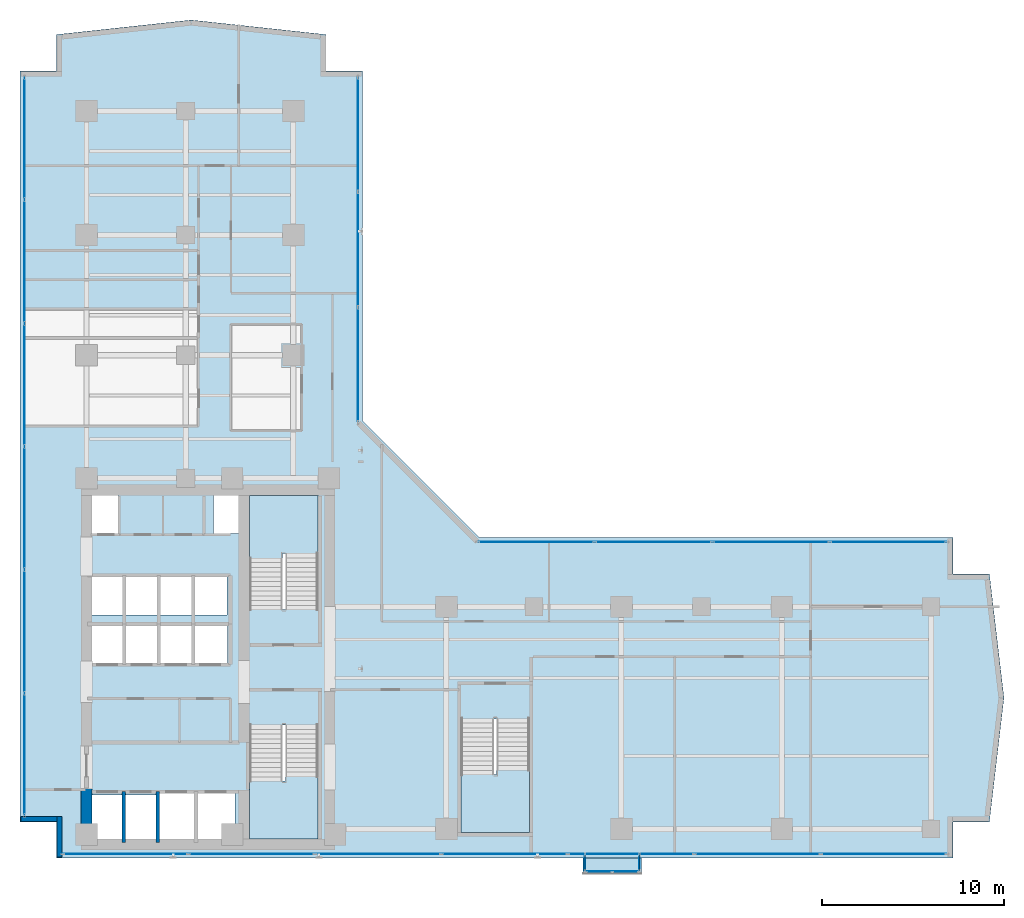
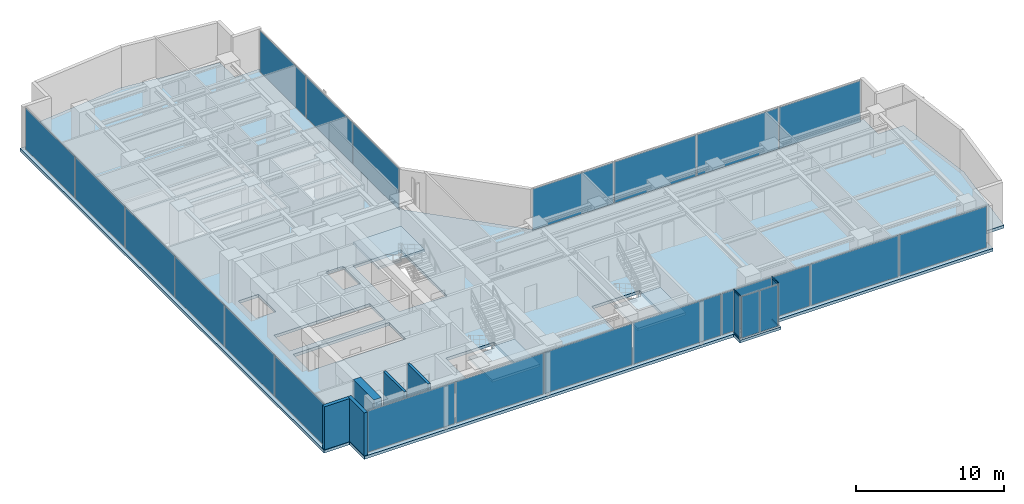
# One storey, part 19 of 27: 24 plates, 5 slabs, 5 walls, 4 members, 10 elements without a shape of their own.
"""IFC4 building model written with IfcOpenShell, lengths in metres."""

from ifc_helpers import new_model, si_unit, direction, frame, frame_2d, origin, origin_with_axes, origin_2d, place, context, subcontext, project, spatial, polyline, rectangle, hollow_rectangle, outline, extrude, source, transform, mapped, material, layer, layer_set, material_profile, profile_set, type_object, element, aggregate, save


model = new_model("IFC4")

# Units and contexts
model_context = context("Model", 3, precision=1e-05, world=origin(), true_north=direction((0.0, 1.0)))
body_context = subcontext(model_context, "Body", "Model", "MODEL_VIEW")
ifc_project = project(units=[si_unit("LENGTHUNIT", "METRE"), si_unit("AREAUNIT", "SQUARE_METRE"), si_unit("VOLUMEUNIT", "CUBIC_METRE"), si_unit("PLANEANGLEUNIT", "RADIAN"), si_unit("MASSUNIT", "GRAM", prefix="KILO")], contexts=[model_context])

# Site, building, storey
site_placement = place(None, origin())
site = spatial("IfcSite", under=ifc_project, at=site_placement, CompositionType="ELEMENT")
building_placement = place(site_placement, origin())
building = spatial("IfcBuilding", under=site, at=building_placement, Name="Kolvaren Waterfront Exchange", CompositionType="ELEMENT")
storey_placement = place(building_placement, frame((0.0, 0.0, 191.800048828125)))
storey = spatial("IfcBuildingStorey", under=building, at=storey_placement, Name="L49", CompositionType="ELEMENT", Elevation=191.800048828125)

# Curtain wall, members
ifc_material_1 = material(Name="Anodised bronze aluminium 6063-T6", Category="aluminium")
ifc_layer_1 = layer(ifc_material_1, 0.219970703125, Name="Anodised bronze aluminium 6063-T6")
ifc_layer_set_1 = layer_set([ifc_layer_1], Name="Anodised bronze aluminium 6063-T6")
curtain_wall_type_1 = type_object("IfcCurtainWallType", Name="ARC-CW-SYS3", PredefinedType="USERDEFINED", material=ifc_layer_set_1)
curtain_wall_1_placement = place(storey_placement, origin())
curtain_wall_1 = element("IfcCurtainWall", 1, at=curtain_wall_1_placement, inside=storey, type_object=curtain_wall_type_1, Name="L49 stick curtain wall CW3 (CW-L49-BOX-W)", ObjectType="STICK CURTAIN WALL", PredefinedType="USERDEFINED")
ifc_material_profile = material_profile(ifc_material_1, hollow_rectangle(XDim=0.06494140625, YDim=0.1298828125, WallThickness=0.00390625, at=origin_2d()), Name="ALU-TRN-130x65x4")
ifc_profile_set = profile_set([ifc_material_profile], Name="Anodised bronze aluminium 6063-T6")
member_type = type_object("IfcMemberType", Name="ARC-CWT-130", PredefinedType="USERDEFINED", material=ifc_profile_set)
shared_shape_1 = source(origin_with_axes(), body_context, "Body", "SweptSolid", [
    extrude(hollow_rectangle(XDim=0.06494140625, YDim=0.1298828125, WallThickness=0.00390625, at=origin_2d()), origin(), (0.0, 0.0, 1.0), 0.829833984375),
])
member_1_placement = place(storey_placement, frame((34.81005859375, 3.764892578125, 0.032470703125), z_axis=(0.0, -1.0, 0.0), x_axis=(1.0, 0.0, 0.0)))
member_1 = element("IfcMember", 2, at=member_1_placement, type_object=member_type, Name="CW3 transom 1.1", ObjectType="TRANSOM", PredefinedType="USERDEFINED", context=body_context, shape_type="MappedRepresentation", body=[
    mapped(shared_shape_1, transform((0.0, 0.0, 0.0), x_axis=(1.0, 0.0, 0.0), y_axis=(0.0, 1.0, 0.0), z_axis=(0.0, 0.0, 1.0), scale=1.0)),
])
member_2_placement = place(storey_placement, frame((34.81005859375, 3.764892578125, 3.52734375), z_axis=(0.0, -1.0, 0.0), x_axis=(1.0, 0.0, 0.0)))
member_2 = element("IfcMember", 3, at=member_2_placement, type_object=member_type, Name="CW3 transom 1.2", ObjectType="TRANSOM", PredefinedType="USERDEFINED", context=body_context, shape_type="MappedRepresentation", body=[
    mapped(shared_shape_1, transform((0.0, 0.0, 0.0), x_axis=(1.0, 0.0, 0.0), y_axis=(0.0, 1.0, 0.0), z_axis=(0.0, 0.0, 1.0), scale=1.0)),
])

curtain_wall_2_placement = place(storey_placement, origin())
curtain_wall_2 = element("IfcCurtainWall", 4, at=curtain_wall_2_placement, inside=storey, type_object=curtain_wall_type_1, Name="L49 stick curtain wall CW3 (CW-L49-BOX-E)", ObjectType="STICK CURTAIN WALL", PredefinedType="USERDEFINED")
member_3_placement = place(storey_placement, frame((37.7900390625, 2.93505859375, 0.032470703125), z_axis=(0.0, 1.0, 0.0), x_axis=(-1.0, 0.0, 0.0)))
member_3 = element("IfcMember", 5, at=member_3_placement, type_object=member_type, Name="CW3 transom 1.1", ObjectType="TRANSOM", PredefinedType="USERDEFINED", context=body_context, shape_type="MappedRepresentation", body=[
    mapped(shared_shape_1, transform((0.0, 0.0, 0.0), x_axis=(1.0, 0.0, 0.0), y_axis=(0.0, 1.0, 0.0), z_axis=(0.0, 0.0, 1.0), scale=1.0)),
])
member_4_placement = place(storey_placement, frame((37.7900390625, 2.93505859375, 3.52734375), z_axis=(0.0, 1.0, 0.0), x_axis=(-1.0, 0.0, 0.0)))
member_4 = element("IfcMember", 6, at=member_4_placement, type_object=member_type, Name="CW3 transom 1.2", ObjectType="TRANSOM", PredefinedType="USERDEFINED", context=body_context, shape_type="MappedRepresentation", body=[
    mapped(shared_shape_1, transform((0.0, 0.0, 0.0), x_axis=(1.0, 0.0, 0.0), y_axis=(0.0, 1.0, 0.0), z_axis=(0.0, 0.0, 1.0), scale=1.0)),
])

# Stair, slab
ifc_material_2 = material(Name="Concrete C40/50", Category="concrete")
stair_type = type_object("IfcStairType", Name="ARC-STAIR-3800", PredefinedType="HALF_TURN_STAIR", material=ifc_material_2)
stair_1_placement = place(storey_placement, origin())
stair_1 = element("IfcStair", 7, at=stair_1_placement, inside=storey, type_object=stair_type, Name="L49 Smoke-proof exit stair ST1", PredefinedType="HALF_TURN_STAIR")
ifc_layer_2 = layer(ifc_material_2, 0.199951171875, Name="Concrete C40/50")
ifc_layer_set_2 = layer_set([ifc_layer_2], Name="Concrete C40/50")
slab_type_1 = type_object("IfcSlabType", Name="STR-LANDING-200", PredefinedType="LANDING", material=ifc_layer_set_2)
slab_1_placement = place(storey_placement, frame((0.0, 0.0, 1.77587890625)))
slab_1 = element("IfcSlab", 8, at=slab_1_placement, type_object=slab_type_1, Name="ST1 landing 1", PredefinedType="LANDING", context=body_context, shape_type="SweptSolid", body=[
    extrude(outline(polyline([(16.39990234375, 7.840087890625), (16.39990234375, 4.64990234375), (20.159912109375, 4.64990234375), (20.159912109375, 8.10009765625), (18.360107421875, 8.10009765625), (18.360107421875, 7.840087890625), (16.39990234375, 7.840087890625)])), origin(), (0.0, 0.0, 1.0), 0.199951171875),
])
aggregate(stair_1, [slab_1])

stair_2_placement = place(storey_placement, origin())
stair_2 = element("IfcStair", 9, at=stair_2_placement, inside=storey, type_object=stair_type, Name="L49 Smoke-proof exit stair ST2", PredefinedType="HALF_TURN_STAIR")
slab_2_placement = place(storey_placement, frame((0.0, 0.0, 1.77587890625)))
slab_2 = element("IfcSlab", 10, at=slab_2_placement, type_object=slab_type_1, Name="ST2 landing 1", PredefinedType="LANDING", context=body_context, shape_type="SweptSolid", body=[
    extrude(outline(polyline([(20.159912109375, 20.31005859375), (20.159912109375, 23.5), (16.39990234375, 23.5), (16.39990234375, 20.050048828125), (18.199951171875, 20.050048828125), (18.199951171875, 20.31005859375), (20.159912109375, 20.31005859375)])), origin(), (0.0, 0.0, 1.0), 0.199951171875),
])
aggregate(stair_2, [slab_2])

stair_3_placement = place(storey_placement, origin())
stair_3 = element("IfcStair", 11, at=stair_3_placement, inside=storey, type_object=stair_type, Name="L49 Exit stair ST3", PredefinedType="HALF_TURN_STAIR")
slab_3_placement = place(storey_placement, frame((0.0, 0.0, 1.77587890625)))
slab_3 = element("IfcSlab", 12, at=slab_3_placement, type_object=slab_type_1, Name="ST3 landing 1", PredefinedType="LANDING", context=body_context, shape_type="SweptSolid", body=[
    extrude(outline(polyline([(28.0, 8.18994140625), (28.0, 5.0), (31.760009765625, 5.0), (31.760009765625, 8.449951171875), (29.9599609375, 8.449951171875), (29.9599609375, 8.18994140625), (28.0, 8.18994140625)])), origin(), (0.0, 0.0, 1.0), 0.199951171875),
])
aggregate(stair_3, [slab_3])

# Slabs
ifc_layer_3 = layer(ifc_material_2, 0.239990234375, Name="Concrete C40/50")
ifc_layer_set_3 = layer_set([ifc_layer_3], Name="Concrete C40/50")
slab_type_2 = type_object("IfcSlabType", Name="STR-SLAB-240", PredefinedType="FLOOR", material=ifc_layer_set_3)
slab_4_placement = place(storey_placement, frame((0.0, 0.0, -0.239990234375)))
element("IfcSlab", 13, at=slab_4_placement, inside=storey, type_object=slab_type_2, Name="L49 structural floor slab", PredefinedType="FLOOR", context=body_context, shape_type="SweptSolid", body=[
    extrude(outline(polyline([(5.800048828125, 3.60009765625), (55.0, 3.60009765625), (55.0, 5.60009765625), (57.0, 5.60009765625), (57.800048828125, 12.39990234375), (57.0, 19.199951171875), (55.0, 19.199951171875), (55.0, 21.199951171875), (29.0, 21.199951171875), (22.60009765625, 27.60009765625), (22.60009765625, 46.800048828125), (20.60009765625, 46.800048828125), (20.60009765625, 48.800048828125), (13.199951171875, 49.60009765625), (5.800048828125, 48.800048828125), (5.800048828125, 46.800048828125), (3.800048828125, 46.800048828125), (3.800048828125, 5.60009765625), (5.800048828125, 5.60009765625), (5.800048828125, 3.60009765625)]), holes=[polyline([(11.320068359375, 7.260009765625), (15.610107421875, 7.260009765625), (15.610107421875, 4.5400390625), (7.719970703125, 4.5400390625), (7.719970703125, 7.06005859375), (11.320068359375, 7.06005859375), (11.320068359375, 7.260009765625)]), polyline([(20.159912109375, 10.89990234375), (20.159912109375, 4.64990234375), (16.39990234375, 4.64990234375), (16.39990234375, 10.89990234375), (20.159912109375, 10.89990234375)]), polyline([(31.760009765625, 11.25), (31.760009765625, 5.0), (28.0, 5.0), (28.0, 11.25), (31.760009765625, 11.25)]), polyline([(15.18505859375, 14.239990234375), (7.64501953125, 14.239990234375), (7.64501953125, 16.4599609375), (15.18505859375, 16.4599609375), (15.18505859375, 14.239990234375)]), polyline([(15.159912109375, 16.93994140625), (7.669921875, 16.93994140625), (7.669921875, 19.06005859375), (15.159912109375, 19.06005859375), (15.159912109375, 16.93994140625)]), polyline([(16.39990234375, 23.5), (20.159912109375, 23.5), (20.159912109375, 17.25), (16.39990234375, 17.25), (16.39990234375, 23.5)]), polyline([(7.60009765625, 23.780029296875), (9.179931640625, 23.780029296875), (9.179931640625, 21.419921875), (7.60009765625, 21.419921875), (7.60009765625, 23.780029296875)]), polyline([(15.800048828125, 23.780029296875), (15.800048828125, 21.419921875), (14.419921875, 21.419921875), (14.419921875, 23.780029296875), (15.800048828125, 23.780029296875)])]), origin(), (0.0, 0.0, 1.0), 0.239990234375),
])
ifc_layer_4 = layer(ifc_material_2, 0.219970703125, Name="Concrete C40/50")
ifc_layer_set_4 = layer_set([ifc_layer_4], Name="Concrete C40/50")
slab_type_3 = type_object("IfcSlabType", Name="STR-TERR-220", PredefinedType="FLOOR", material=ifc_layer_set_4)
slab_5_placement = place(storey_placement, frame((0.0, 0.0, -0.219970703125)))
element("IfcSlab", 14, at=slab_5_placement, inside=storey, type_object=slab_type_3, Name="L49 projecting bay-box floor strip", PredefinedType="FLOOR", context=body_context, shape_type="SweptSolid", body=[
    extrude(outline(polyline([(34.699951171875, 2.75), (37.89990234375, 2.75), (37.89990234375, 3.60009765625), (34.699951171875, 3.60009765625), (34.699951171875, 2.75)])), origin(), (0.0, 0.0, 1.0), 0.219970703125),
])

# Plate
ifc_material_3 = material(Name="Bronze tinted bay-box vision glass", Category="aluminium")
ifc_layer_5 = layer(ifc_material_3, 0.02392578125, Name="Bronze tinted bay-box vision glass")
ifc_layer_set_5 = layer_set([ifc_layer_5], Name="Bronze tinted bay-box vision glass")
plate_type_1 = type_object("IfcPlateType", Name="ARC-CWP-24", PredefinedType="CURTAIN_PANEL", material=ifc_layer_set_5)
shared_shape_2 = source(origin_with_axes(), body_context, "Body", "SweptSolid", [
    extrude(rectangle(XDim=0.830078125, YDim=0.02392578125, at=origin_2d()), origin(), (0.0, 0.0, 1.0), 3.429931640625),
])
plate_1_placement = place(storey_placement, frame((34.81005859375, 3.35009765625, 0.06494140625), z_axis=(0.0, 0.0, 1.0), x_axis=(0.0, -1.0, 0.0)))
plate_1 = element("IfcPlate", 15, at=plate_1_placement, type_object=plate_type_1, Name="CW3 panel 1.1", PredefinedType="CURTAIN_PANEL", context=body_context, shape_type="MappedRepresentation", body=[
    mapped(shared_shape_2, transform((0.0, 0.0, 0.0), x_axis=(1.0, 0.0, 0.0), y_axis=(0.0, 1.0, 0.0), z_axis=(0.0, 0.0, 1.0), scale=1.0)),
])

aggregate(curtain_wall_1, [member_1, member_2, plate_1])

plate_2_placement = place(storey_placement, frame((37.7900390625, 3.35009765625, 0.06494140625), z_axis=(0.0, 0.0, 1.0), x_axis=(0.0, 1.0, 0.0)))
plate_2 = element("IfcPlate", 16, at=plate_2_placement, type_object=plate_type_1, Name="CW3 panel 1.1", PredefinedType="CURTAIN_PANEL", context=body_context, shape_type="MappedRepresentation", body=[
    mapped(shared_shape_2, transform((0.0, 0.0, 0.0), x_axis=(1.0, 0.0, 0.0), y_axis=(0.0, 1.0, 0.0), z_axis=(0.0, 0.0, 1.0), scale=1.0)),
])

aggregate(curtain_wall_2, [member_3, member_4, plate_2])

# Curtain wall, plates
curtain_wall_3_placement = place(storey_placement, origin())
curtain_wall_3 = element("IfcCurtainWall", 17, at=curtain_wall_3_placement, inside=storey, type_object=curtain_wall_type_1, Name="L49 stick curtain wall CW3 (CW-L49-BOX)", ObjectType="STICK CURTAIN WALL", PredefinedType="USERDEFINED")
shared_shape_3 = source(origin_with_axes(), body_context, "Body", "SweptSolid", [
    extrude(rectangle(XDim=1.37744140625, YDim=0.02392578125, at=origin_2d()), origin(), (0.0, 0.0, 1.0), 3.429931640625),
])
plate_3_placement = place(storey_placement, frame((35.57373046875, 2.860107421875, 0.06494140625), z_axis=(0.0, 0.0, 1.0), x_axis=(1.0, 0.0, 0.0)))
plate_3 = element("IfcPlate", 18, at=plate_3_placement, type_object=plate_type_1, Name="CW3 panel 1.1", PredefinedType="CURTAIN_PANEL", context=body_context, shape_type="MappedRepresentation", body=[
    mapped(shared_shape_3, transform((0.0, 0.0, 0.0), x_axis=(1.0, 0.0, 0.0), y_axis=(0.0, 1.0, 0.0), z_axis=(0.0, 0.0, 1.0), scale=1.0)),
])
plate_4_placement = place(storey_placement, frame((37.0263671875, 2.860107421875, 0.06494140625), z_axis=(0.0, 0.0, 1.0), x_axis=(1.0, 0.0, 0.0)))
plate_4 = element("IfcPlate", 19, at=plate_4_placement, type_object=plate_type_1, Name="CW3 panel 2.1", PredefinedType="CURTAIN_PANEL", context=body_context, shape_type="MappedRepresentation", body=[
    mapped(shared_shape_3, transform((0.0, 0.0, 0.0), x_axis=(1.0, 0.0, 0.0), y_axis=(0.0, 1.0, 0.0), z_axis=(0.0, 0.0, 1.0), scale=1.0)),
])
aggregate(curtain_wall_3, [plate_3, plate_4])

ifc_layer_6 = layer(ifc_material_1, 0.219970703125, Name="Anodised bronze aluminium 6063-T6")
ifc_layer_set_6 = layer_set([ifc_layer_6], Name="Anodised bronze aluminium 6063-T6")
curtain_wall_type_2 = type_object("IfcCurtainWallType", Name="ARC-CW-SYS1", PredefinedType="USERDEFINED", material=ifc_layer_set_6)
curtain_wall_4_placement = place(storey_placement, origin())
curtain_wall_4 = element("IfcCurtainWall", 20, at=curtain_wall_4_placement, inside=storey, type_object=curtain_wall_type_2, Name="L49 stick curtain wall CW1 (CW-L49-S)", ObjectType="STICK CURTAIN WALL", PredefinedType="USERDEFINED")
ifc_material_4 = material(Name="Bronze solar control vision glass", Category="aluminium")
ifc_layer_7 = layer(ifc_material_4, 0.028076171875, Name="Bronze solar control vision glass")
ifc_layer_set_7 = layer_set([ifc_layer_7], Name="Bronze solar control vision glass")
plate_type_2 = type_object("IfcPlateType", Name="ARC-CWP-28", PredefinedType="CURTAIN_PANEL", material=ifc_layer_set_7)
shared_shape_4 = source(origin_with_axes(), body_context, "Body", "SweptSolid", [
    extrude(rectangle(XDim=6.82275390625, YDim=0.028076171875, at=origin_2d()), origin(), (0.0, 0.0, 1.0), 3.409912109375),
])
plate_5_placement = place(storey_placement, frame((9.59130859375, 3.840087890625, 0.0751953125), z_axis=(0.0, 0.0, 1.0), x_axis=(1.0, 0.0, 0.0)))
plate_5 = element("IfcPlate", 21, at=plate_5_placement, type_object=plate_type_2, Name="CW1 panel 1.1", PredefinedType="CURTAIN_PANEL", context=body_context, shape_type="MappedRepresentation", body=[
    mapped(shared_shape_4, transform((0.0, 0.0, 0.0), x_axis=(1.0, 0.0, 0.0), y_axis=(0.0, 1.0, 0.0), z_axis=(0.0, 0.0, 1.0), scale=1.0)),
])
plate_6_placement = place(storey_placement, frame((51.20849609375, 3.840087890625, 0.0751953125), z_axis=(0.0, 0.0, 1.0), x_axis=(1.0, 0.0, 0.0)))
plate_6 = element("IfcPlate", 22, at=plate_6_placement, type_object=plate_type_2, Name="CW1 panel 7.1", PredefinedType="CURTAIN_PANEL", context=body_context, shape_type="MappedRepresentation", body=[
    mapped(shared_shape_4, transform((0.0, 0.0, 0.0), x_axis=(1.0, 0.0, 0.0), y_axis=(0.0, 1.0, 0.0), z_axis=(0.0, 0.0, 1.0), scale=1.0)),
])
shared_shape_5 = source(origin_with_axes(), body_context, "Body", "SweptSolid", [
    extrude(rectangle(XDim=6.86279296875, YDim=0.028076171875, at=origin_2d()), origin(), (0.0, 0.0, 1.0), 3.409912109375),
])
plate_7_placement = place(storey_placement, frame((16.514404296875, 3.840087890625, 0.0751953125), z_axis=(0.0, 0.0, 1.0), x_axis=(1.0, 0.0, 0.0)))
plate_7 = element("IfcPlate", 23, at=plate_7_placement, type_object=plate_type_2, Name="CW1 panel 2.1", PredefinedType="CURTAIN_PANEL", context=body_context, shape_type="MappedRepresentation", body=[
    mapped(shared_shape_5, transform((0.0, 0.0, 0.0), x_axis=(1.0, 0.0, 0.0), y_axis=(0.0, 1.0, 0.0), z_axis=(0.0, 0.0, 1.0), scale=1.0)),
])
plate_8_placement = place(storey_placement, frame((23.45703125, 3.840087890625, 0.0751953125), z_axis=(0.0, 0.0, 1.0), x_axis=(1.0, 0.0, 0.0)))
plate_8 = element("IfcPlate", 24, at=plate_8_placement, type_object=plate_type_2, Name="CW1 panel 3.1", PredefinedType="CURTAIN_PANEL", context=body_context, shape_type="MappedRepresentation", body=[
    mapped(shared_shape_5, transform((0.0, 0.0, 0.0), x_axis=(1.0, 0.0, 0.0), y_axis=(0.0, 1.0, 0.0), z_axis=(0.0, 0.0, 1.0), scale=1.0)),
])
plate_9_placement = place(storey_placement, frame((30.39990234375, 3.840087890625, 0.0751953125), z_axis=(0.0, 0.0, 1.0), x_axis=(1.0, 0.0, 0.0)))
plate_9 = element("IfcPlate", 25, at=plate_9_placement, type_object=plate_type_2, Name="CW1 panel 4.1", PredefinedType="CURTAIN_PANEL", context=body_context, shape_type="MappedRepresentation", body=[
    mapped(shared_shape_5, transform((0.0, 0.0, 0.0), x_axis=(1.0, 0.0, 0.0), y_axis=(0.0, 1.0, 0.0), z_axis=(0.0, 0.0, 1.0), scale=1.0)),
])
plate_10_placement = place(storey_placement, frame((37.3427734375, 3.840087890625, 0.0751953125), z_axis=(0.0, 0.0, 1.0), x_axis=(1.0, 0.0, 0.0)))
plate_10 = element("IfcPlate", 26, at=plate_10_placement, type_object=plate_type_2, Name="CW1 panel 5.1", PredefinedType="CURTAIN_PANEL", context=body_context, shape_type="MappedRepresentation", body=[
    mapped(shared_shape_5, transform((0.0, 0.0, 0.0), x_axis=(1.0, 0.0, 0.0), y_axis=(0.0, 1.0, 0.0), z_axis=(0.0, 0.0, 1.0), scale=1.0)),
])
plate_11_placement = place(storey_placement, frame((44.28564453125, 3.840087890625, 0.0751953125), z_axis=(0.0, 0.0, 1.0), x_axis=(1.0, 0.0, 0.0)))
plate_11 = element("IfcPlate", 27, at=plate_11_placement, type_object=plate_type_2, Name="CW1 panel 6.1", PredefinedType="CURTAIN_PANEL", context=body_context, shape_type="MappedRepresentation", body=[
    mapped(shared_shape_5, transform((0.0, 0.0, 0.0), x_axis=(1.0, 0.0, 0.0), y_axis=(0.0, 1.0, 0.0), z_axis=(0.0, 0.0, 1.0), scale=1.0)),
])
aggregate(curtain_wall_4, [plate_5, plate_7, plate_8, plate_9, plate_10, plate_11, plate_6])

curtain_wall_5_placement = place(storey_placement, origin())
curtain_wall_5 = element("IfcCurtainWall", 28, at=curtain_wall_5_placement, inside=storey, type_object=curtain_wall_type_2, Name="L49 stick curtain wall CW1 (CW-L49-NE)", ObjectType="STICK CURTAIN WALL", PredefinedType="USERDEFINED")
shared_shape_6 = source(origin_with_axes(), body_context, "Body", "SweptSolid", [
    extrude(rectangle(XDim=6.216552734375, YDim=0.028076171875, at=origin_2d()), origin(), (0.0, 0.0, 1.0), 3.409912109375),
])
plate_12_placement = place(storey_placement, frame((22.360107421875, 30.67822265625, 0.0751953125), z_axis=(0.0, 0.0, 1.0), x_axis=(0.0, 1.0, 0.0)))
plate_12 = element("IfcPlate", 29, at=plate_12_placement, type_object=plate_type_2, Name="CW1 panel 1.1", PredefinedType="CURTAIN_PANEL", context=body_context, shape_type="MappedRepresentation", body=[
    mapped(shared_shape_6, transform((0.0, 0.0, 0.0), x_axis=(1.0, 0.0, 0.0), y_axis=(0.0, 1.0, 0.0), z_axis=(0.0, 0.0, 1.0), scale=1.0)),
])
plate_13_placement = place(storey_placement, frame((22.360107421875, 43.311767578125, 0.0751953125), z_axis=(0.0, 0.0, 1.0), x_axis=(0.0, 1.0, 0.0)))
plate_13 = element("IfcPlate", 30, at=plate_13_placement, type_object=plate_type_2, Name="CW1 panel 3.1", PredefinedType="CURTAIN_PANEL", context=body_context, shape_type="MappedRepresentation", body=[
    mapped(shared_shape_6, transform((0.0, 0.0, 0.0), x_axis=(1.0, 0.0, 0.0), y_axis=(0.0, 1.0, 0.0), z_axis=(0.0, 0.0, 1.0), scale=1.0)),
])
shared_shape_7 = source(origin_with_axes(), body_context, "Body", "SweptSolid", [
    extrude(rectangle(XDim=6.256591796875, YDim=0.028076171875, at=origin_2d()), origin(), (0.0, 0.0, 1.0), 3.409912109375),
])
plate_14_placement = place(storey_placement, frame((22.360107421875, 36.9951171875, 0.0751953125), z_axis=(0.0, 0.0, 1.0), x_axis=(0.0, 1.0, 0.0)))
plate_14 = element("IfcPlate", 31, at=plate_14_placement, type_object=plate_type_2, Name="CW1 panel 2.1", PredefinedType="CURTAIN_PANEL", context=body_context, shape_type="MappedRepresentation", body=[
    mapped(shared_shape_7, transform((0.0, 0.0, 0.0), x_axis=(1.0, 0.0, 0.0), y_axis=(0.0, 1.0, 0.0), z_axis=(0.0, 0.0, 1.0), scale=1.0)),
])
aggregate(curtain_wall_5, [plate_12, plate_14, plate_13])

curtain_wall_6_placement = place(storey_placement, origin())
curtain_wall_6 = element("IfcCurtainWall", 32, at=curtain_wall_6_placement, inside=storey, type_object=curtain_wall_type_2, Name="L49 stick curtain wall CW1 (CW-L49-EN)", ObjectType="STICK CURTAIN WALL", PredefinedType="USERDEFINED")
shared_shape_8 = source(origin_with_axes(), body_context, "Body", "SweptSolid", [
    extrude(rectangle(XDim=6.33251953125, YDim=0.028076171875, at=origin_2d()), origin(), (0.0, 0.0, 1.0), 3.409912109375),
])
plate_15_placement = place(storey_placement, frame((32.13623046875, 20.9599609375, 0.0751953125), z_axis=(0.0, 0.0, 1.0), x_axis=(1.0, 0.0, 0.0)))
plate_15 = element("IfcPlate", 33, at=plate_15_placement, type_object=plate_type_2, Name="CW1 panel 1.1", PredefinedType="CURTAIN_PANEL", context=body_context, shape_type="MappedRepresentation", body=[
    mapped(shared_shape_8, transform((0.0, 0.0, 0.0), x_axis=(1.0, 0.0, 0.0), y_axis=(0.0, 1.0, 0.0), z_axis=(0.0, 0.0, 1.0), scale=1.0)),
])
plate_16_placement = place(storey_placement, frame((51.453857421875, 20.9599609375, 0.0751953125), z_axis=(0.0, 0.0, 1.0), x_axis=(1.0, 0.0, 0.0)))
plate_16 = element("IfcPlate", 34, at=plate_16_placement, type_object=plate_type_2, Name="CW1 panel 4.1", PredefinedType="CURTAIN_PANEL", context=body_context, shape_type="MappedRepresentation", body=[
    mapped(shared_shape_8, transform((0.0, 0.0, 0.0), x_axis=(1.0, 0.0, 0.0), y_axis=(0.0, 1.0, 0.0), z_axis=(0.0, 0.0, 1.0), scale=1.0)),
])
shared_shape_9 = source(origin_with_axes(), body_context, "Body", "SweptSolid", [
    extrude(rectangle(XDim=6.37255859375, YDim=0.028076171875, at=origin_2d()), origin(), (0.0, 0.0, 1.0), 3.409912109375),
])
plate_17_placement = place(storey_placement, frame((38.56884765625, 20.9599609375, 0.0751953125), z_axis=(0.0, 0.0, 1.0), x_axis=(1.0, 0.0, 0.0)))
plate_17 = element("IfcPlate", 35, at=plate_17_placement, type_object=plate_type_2, Name="CW1 panel 2.1", PredefinedType="CURTAIN_PANEL", context=body_context, shape_type="MappedRepresentation", body=[
    mapped(shared_shape_9, transform((0.0, 0.0, 0.0), x_axis=(1.0, 0.0, 0.0), y_axis=(0.0, 1.0, 0.0), z_axis=(0.0, 0.0, 1.0), scale=1.0)),
])
plate_18_placement = place(storey_placement, frame((45.021240234375, 20.9599609375, 0.0751953125), z_axis=(0.0, 0.0, 1.0), x_axis=(1.0, 0.0, 0.0)))
plate_18 = element("IfcPlate", 36, at=plate_18_placement, type_object=plate_type_2, Name="CW1 panel 3.1", PredefinedType="CURTAIN_PANEL", context=body_context, shape_type="MappedRepresentation", body=[
    mapped(shared_shape_9, transform((0.0, 0.0, 0.0), x_axis=(1.0, 0.0, 0.0), y_axis=(0.0, 1.0, 0.0), z_axis=(0.0, 0.0, 1.0), scale=1.0)),
])
aggregate(curtain_wall_6, [plate_15, plate_17, plate_18, plate_16])

ifc_material_5 = material(Name="Anodised aluminium 6063-T6", Category="aluminium")
ifc_layer_8 = layer(ifc_material_5, 0.219970703125, Name="Anodised aluminium 6063-T6")
ifc_layer_set_8 = layer_set([ifc_layer_8], Name="Anodised aluminium 6063-T6")
curtain_wall_type_3 = type_object("IfcCurtainWallType", Name="ARC-CW-SYS2", PredefinedType="USERDEFINED", material=ifc_layer_set_8)
curtain_wall_7_placement = place(storey_placement, origin())
curtain_wall_7 = element("IfcCurtainWall", 37, at=curtain_wall_7_placement, inside=storey, type_object=curtain_wall_type_3, Name="L49 stick curtain wall CW2 (CW-L49-W)", ObjectType="STICK CURTAIN WALL", PredefinedType="USERDEFINED")
ifc_material_6 = material(Name="Acoustic laminated vision glass", Category="glass")
ifc_layer_9 = layer(ifc_material_6, 0.031982421875, Name="Acoustic laminated vision glass")
ifc_layer_set_9 = layer_set([ifc_layer_9], Name="Acoustic laminated vision glass")
plate_type_3 = type_object("IfcPlateType", Name="ARC-CWP-32", PredefinedType="CURTAIN_PANEL", material=ifc_layer_set_9)
shared_shape_10 = source(origin_with_axes(), body_context, "Body", "SweptSolid", [
    extrude(rectangle(XDim=6.646728515625, YDim=0.031982421875, at=origin_2d()), origin(), (0.0, 0.0, 1.0), 3.409912109375),
])
plate_19_placement = place(storey_placement, frame((4.0400390625, 9.30322265625, 0.0751953125), z_axis=(0.0, 0.0, 1.0), x_axis=(0.0, 1.0, 0.0)))
plate_19 = element("IfcPlate", 38, at=plate_19_placement, type_object=plate_type_3, Name="CW2 panel 1.1", PredefinedType="CURTAIN_PANEL", context=body_context, shape_type="MappedRepresentation", body=[
    mapped(shared_shape_10, transform((0.0, 0.0, 0.0), x_axis=(1.0, 0.0, 0.0), y_axis=(0.0, 1.0, 0.0), z_axis=(0.0, 0.0, 1.0), scale=1.0)),
])
plate_20_placement = place(storey_placement, frame((4.0400390625, 43.0966796875, 0.0751953125), z_axis=(0.0, 0.0, 1.0), x_axis=(0.0, 1.0, 0.0)))
plate_20 = element("IfcPlate", 39, at=plate_20_placement, type_object=plate_type_3, Name="CW2 panel 6.1", PredefinedType="CURTAIN_PANEL", context=body_context, shape_type="MappedRepresentation", body=[
    mapped(shared_shape_10, transform((0.0, 0.0, 0.0), x_axis=(1.0, 0.0, 0.0), y_axis=(0.0, 1.0, 0.0), z_axis=(0.0, 0.0, 1.0), scale=1.0)),
])
shared_shape_11 = source(origin_with_axes(), body_context, "Body", "SweptSolid", [
    extrude(rectangle(XDim=6.686767578125, YDim=0.031982421875, at=origin_2d()), origin(), (0.0, 0.0, 1.0), 3.409912109375),
])
plate_21_placement = place(storey_placement, frame((4.0400390625, 16.050048828125, 0.0751953125), z_axis=(0.0, 0.0, 1.0), x_axis=(0.0, 1.0, 0.0)))
plate_21 = element("IfcPlate", 40, at=plate_21_placement, type_object=plate_type_3, Name="CW2 panel 2.1", PredefinedType="CURTAIN_PANEL", context=body_context, shape_type="MappedRepresentation", body=[
    mapped(shared_shape_11, transform((0.0, 0.0, 0.0), x_axis=(1.0, 0.0, 0.0), y_axis=(0.0, 1.0, 0.0), z_axis=(0.0, 0.0, 1.0), scale=1.0)),
])
plate_22_placement = place(storey_placement, frame((4.0400390625, 22.816650390625, 0.0751953125), z_axis=(0.0, 0.0, 1.0), x_axis=(0.0, 1.0, 0.0)))
plate_22 = element("IfcPlate", 41, at=plate_22_placement, type_object=plate_type_3, Name="CW2 panel 3.1", PredefinedType="CURTAIN_PANEL", context=body_context, shape_type="MappedRepresentation", body=[
    mapped(shared_shape_11, transform((0.0, 0.0, 0.0), x_axis=(1.0, 0.0, 0.0), y_axis=(0.0, 1.0, 0.0), z_axis=(0.0, 0.0, 1.0), scale=1.0)),
])
plate_23_placement = place(storey_placement, frame((4.0400390625, 29.583251953125, 0.0751953125), z_axis=(0.0, 0.0, 1.0), x_axis=(0.0, 1.0, 0.0)))
plate_23 = element("IfcPlate", 42, at=plate_23_placement, type_object=plate_type_3, Name="CW2 panel 4.1", PredefinedType="CURTAIN_PANEL", context=body_context, shape_type="MappedRepresentation", body=[
    mapped(shared_shape_11, transform((0.0, 0.0, 0.0), x_axis=(1.0, 0.0, 0.0), y_axis=(0.0, 1.0, 0.0), z_axis=(0.0, 0.0, 1.0), scale=1.0)),
])
plate_24_placement = place(storey_placement, frame((4.0400390625, 36.35009765625, 0.0751953125), z_axis=(0.0, 0.0, 1.0), x_axis=(0.0, 1.0, 0.0)))
plate_24 = element("IfcPlate", 43, at=plate_24_placement, type_object=plate_type_3, Name="CW2 panel 5.1", PredefinedType="CURTAIN_PANEL", context=body_context, shape_type="MappedRepresentation", body=[
    mapped(shared_shape_11, transform((0.0, 0.0, 0.0), x_axis=(1.0, 0.0, 0.0), y_axis=(0.0, 1.0, 0.0), z_axis=(0.0, 0.0, 1.0), scale=1.0)),
])
aggregate(curtain_wall_7, [plate_19, plate_21, plate_22, plate_23, plate_24, plate_20])

# Walls
ifc_material_7 = material(Name="Precast concrete C40/50", Category="concrete")
ifc_layer_10 = layer(ifc_material_7, 0.280029296875, Name="Precast concrete C40/50")
ifc_layer_set_10 = layer_set([ifc_layer_10], Name="Precast concrete C40/50")
wall_type_1 = type_object("IfcWallType", Name="ARC-EXT-TERR-280", PredefinedType="SOLIDWALL", material=ifc_layer_set_10)
wall_1_placement = place(storey_placement, frame((5.9599609375, 3.659912109375, 0.0), z_axis=(0.0, 0.0, 1.0), x_axis=(0.0, 1.0, 0.0)))
element("IfcWall", 44, at=wall_1_placement, inside=storey, type_object=wall_type_1, Name="L49 notched corner spandrel pier SW-A", PredefinedType="SOLIDWALL", context=body_context, shape_type="SweptSolid", body=[
    extrude(rectangle(XDim=2.239990234375, YDim=0.280029296875, at=frame_2d((1.1201171875, 0.0))), origin(), (0.0, 0.0, 1.0), 3.56005859375),
])
wall_2_placement = place(storey_placement, frame((3.860107421875, 5.760009765625, 0.0), z_axis=(0.0, 0.0, 1.0), x_axis=(1.0, 0.0, 0.0)))
element("IfcWall", 45, at=wall_2_placement, inside=storey, type_object=wall_type_1, Name="L49 notched corner spandrel pier SW-B", PredefinedType="SOLIDWALL", context=body_context, shape_type="SweptSolid", body=[
    extrude(rectangle(XDim=1.9599609375, YDim=0.280029296875, at=frame_2d((0.97998046875, 0.0))), origin(), (0.0, 0.0, 1.0), 3.56005859375),
])
ifc_layer_11 = layer(ifc_material_2, 0.199951171875, Name="Concrete C40/50")
ifc_layer_set_11 = layer_set([ifc_layer_11], Name="Concrete C40/50")
wall_type_2 = type_object("IfcWallType", Name="ARC-SHAFT-200", PredefinedType="PARTITIONING", material=ifc_layer_set_11)
for number, where, z_axis, x_axis, name in (
    (46, (9.5, 4.449951171875, 0.0), (0.0, 0.0, 1.0), (0.0, 1.0, 0.0), "L49 interior wall PW-L49-SH1-DIV-95"),
    (47, (11.360107421875, 4.449951171875, 0.0), (0.0, 0.0, 1.0), (0.0, 1.0, 0.0), "L49 interior wall PW-L49-SH1-DIV-113"),
):
    element("IfcWall", number, at=place(storey_placement, frame(where, z_axis=z_axis, x_axis=x_axis)), inside=storey, type_object=wall_type_2, Name=name, PredefinedType="PARTITIONING", context=body_context, shape_type="SweptSolid", body=[
        extrude(rectangle(XDim=2.800048828125, YDim=0.199951171875, at=frame_2d((1.39990234375, 0.0))), origin(), (0.0, 0.0, 1.0), 3.56005859375),
    ])
ifc_material_8 = material(Name="Concrete C60/75", Category="concrete")
ifc_layer_12 = layer(ifc_material_8, 0.60009765625, Name="Concrete C60/75")
ifc_layer_set_12 = layer_set([ifc_layer_12], Name="Concrete C60/75")
wall_type_3 = type_object("IfcWallType", Name="STR-CWALL-600", PredefinedType="SHEAR", material=ifc_layer_set_12)
wall_3_placement = place(storey_placement, frame((7.449951171875, 4.64990234375, 0.0), z_axis=(0.0, 0.0, 1.0), x_axis=(0.0, 1.0, 0.0)))
element("IfcWall", 48, at=wall_3_placement, inside=storey, type_object=wall_type_3, Name="L49 rear-core shear wall W1", PredefinedType="SHEAR", context=body_context, shape_type="SweptSolid", body=[
    extrude(rectangle(XDim=2.800048828125, YDim=0.60009765625, at=frame_2d((1.39990234375, 0.0))), origin(), (0.0, 0.0, 1.0), 3.56005859375),
])

save(model, "model.ifc")
